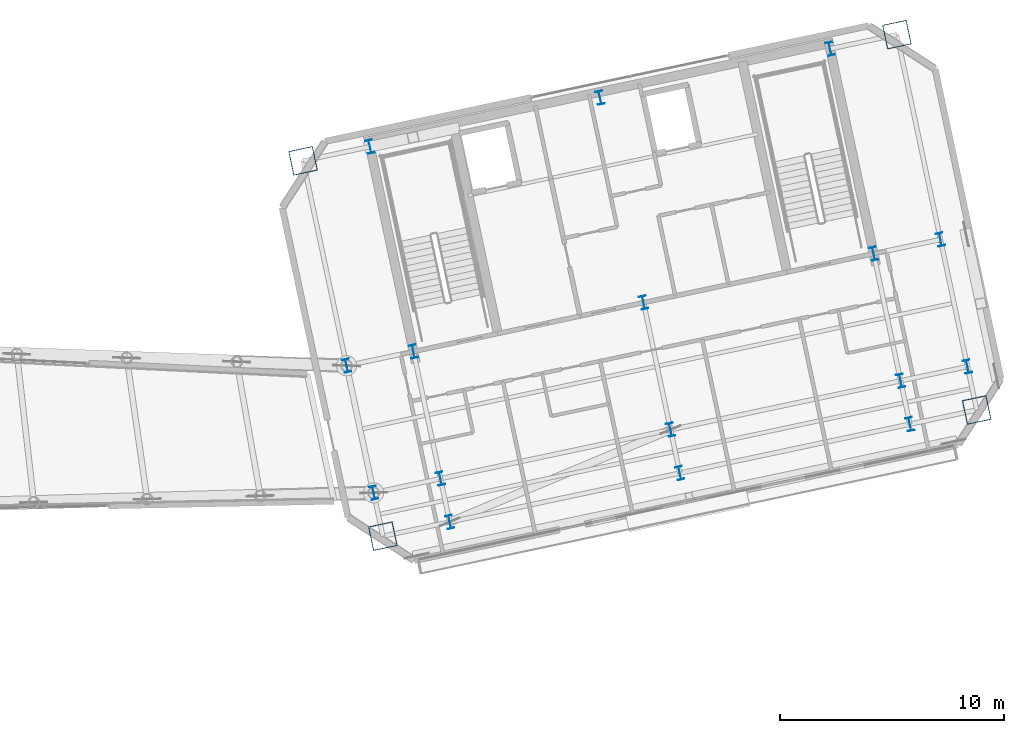
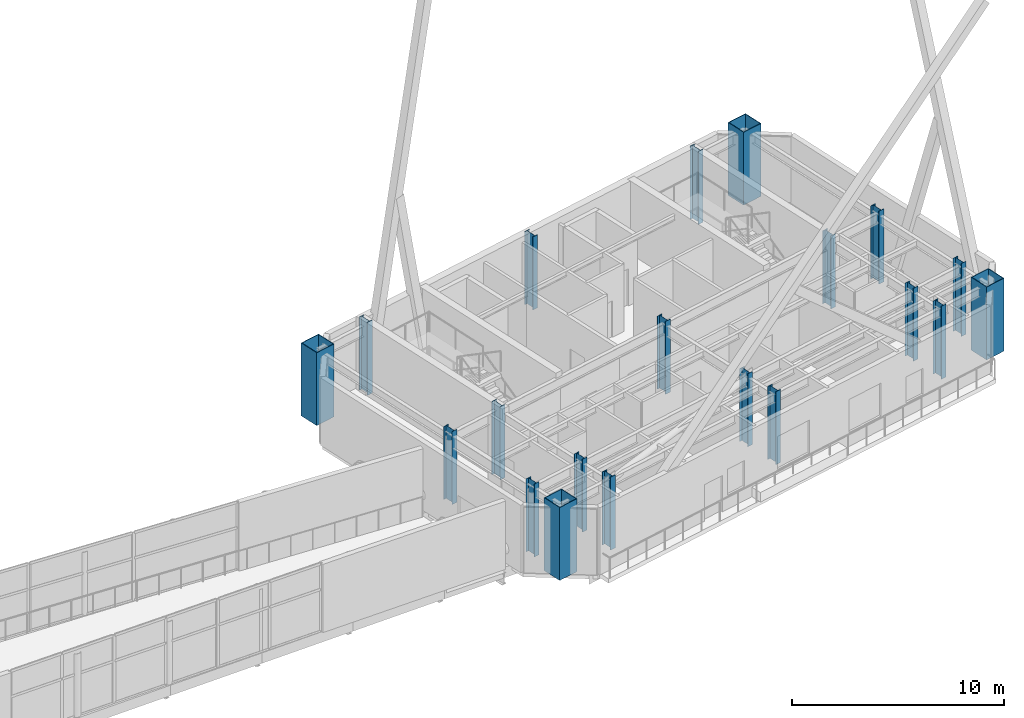
# One storey, part 2 of 23: 20 columns.
"""IFC4 building model written with IfcOpenShell, lengths in metres."""

from ifc_helpers import new_model, si_unit, direction, frame, origin, origin_2d, place, context, subcontext, project, spatial, hollow_rectangle, i_section, extrude, material, material_profile, profile_set, type_object, element, save


model = new_model("IFC4")

# Units and contexts
model_context = context("Model", 3, precision=1e-05, world=origin(), true_north=direction((0.0, 1.0)))
body_context = subcontext(model_context, "Body", "Model", "MODEL_VIEW")
ifc_project = project(units=[si_unit("LENGTHUNIT", "METRE"), si_unit("AREAUNIT", "SQUARE_METRE"), si_unit("VOLUMEUNIT", "CUBIC_METRE"), si_unit("PLANEANGLEUNIT", "RADIAN"), si_unit("MASSUNIT", "GRAM", prefix="KILO")], contexts=[model_context])

# Site, building, storey
site_placement = place(None, origin())
site = spatial("IfcSite", under=ifc_project, at=site_placement, CompositionType="ELEMENT")
building_placement = place(site_placement, origin())
building = spatial("IfcBuilding", under=site, at=building_placement, Name="Haevon Station Towers", CompositionType="ELEMENT")
storey_placement = place(building_placement, frame((0.0, 0.0, 197.10009765625)))
storey = spatial("IfcBuildingStorey", under=building, at=storey_placement, Name="L54", CompositionType="ELEMENT", Elevation=197.10009765625)

# Columns
ifc_material_1 = material(Name="Steel S460", Category="steel")
ifc_material_profile_1 = material_profile(ifc_material_1, hollow_rectangle(XDim=1.10009765625, YDim=1.10009765625, WallThickness=0.031982421875, at=origin_2d()), Name="BOX-1100x1100x32")
ifc_profile_set_1 = profile_set([ifc_material_profile_1], Name="Steel S460")
column_type_1 = type_object("IfcColumnType", Name="COL-MC5", PredefinedType="COLUMN", material=ifc_profile_set_1)
for number, where, z_axis, x_axis, name in (
    (1, (97.386474609375, 29.1982421875, 0.0), (0.0, 0.0, 1.0), (0.978147600734, 0.207911690818, 0.0), "COL-T2-L54-01-01"),
    (2, (93.824951171875, 45.953857421875, 0.0), (0.0, 0.0, 1.0), (0.978147600734, 0.207911690818, 0.0), "COL-T2-L54-01-04"),
    (3, (123.894287109375, 34.832763671875, 0.0), (0.0, 0.0, 1.0), (0.978147600734, 0.207911690818, 0.0), "COL-T2-L54-05-01"),
    (4, (120.332763671875, 51.58837890625, 0.0), (0.0, 0.0, 1.0), (0.978147600734, 0.207911690818, 0.0), "COL-T2-L54-05-04"),
):
    element("IfcColumn", number, at=place(storey_placement, frame(where, z_axis=z_axis, x_axis=x_axis)), inside=storey, type_object=column_type_1, Name=name, PredefinedType="COLUMN", context=body_context, shape_type="SweptSolid", body=[
        extrude(hollow_rectangle(XDim=1.10009765625, YDim=1.10009765625, WallThickness=0.031982421875, at=origin_2d()), origin(), (0.0, 0.0, 1.0), 4.199951171875),
    ])
ifc_material_2 = material(Name="Steel S355", Category="steel")
ifc_material_profile_2 = material_profile(ifc_material_2, i_section(OverallWidth=0.300048828125, OverallDepth=0.60009765625, WebThickness=0.013916015625, FlangeThickness=0.02490234375, at=origin_2d()), Name="H-600x300x14x25")
ifc_profile_set_2 = profile_set([ifc_material_profile_2], Name="Steel S355")
column_type_2 = type_object("IfcColumnType", Name="COL-TW4", PredefinedType="COLUMN", material=ifc_profile_set_2)
for number, where, z_axis, x_axis, name in (
    (5, (96.974853515625, 31.135009765625, 0.0), (0.0, 0.0, 1.0), (0.978147600734, 0.207911690818, 0.0), "COL-T2-L54-01-02"),
    (6, (95.76904296875, 36.808349609375, 0.0), (0.0, 0.0, 1.0), (0.978147600734, 0.207911690818, 0.0), "COL-T2-L54-01-03"),
    (7, (100.369873046875, 29.83251953125, 0.0), (0.0, 0.0, 1.0), (0.978147600734, 0.207911690818, 0.0), "COL-T2-L54-02-01"),
    (8, (99.958251953125, 31.76904296875, 0.0), (0.0, 0.0, 1.0), (0.978147600734, 0.207911690818, 0.0), "COL-T2-L54-02-02"),
    (9, (98.75244140625, 37.4423828125, 0.0), (0.0, 0.0, 1.0), (0.978147600734, 0.207911690818, 0.0), "COL-T2-L54-02-03"),
    (10, (96.808349609375, 46.588134765625, 0.0), (0.0, 0.0, 1.0), (0.978147600734, 0.207911690818, 0.0), "COL-T2-L54-02-04"),
    (11, (110.640380859375, 32.015380859375, 0.0), (0.0, 0.0, 1.0), (0.978147600734, 0.207911690818, 0.0), "COL-T2-L54-03-01"),
    (12, (110.228759765625, 33.9521484375, 0.0), (0.0, 0.0, 1.0), (0.978147600734, 0.207911690818, 0.0), "COL-T2-L54-03-02"),
    (13, (109.02294921875, 39.62548828125, 0.0), (0.0, 0.0, 1.0), (0.978147600734, 0.207911690818, 0.0), "COL-T2-L54-03-03"),
    (14, (107.078857421875, 48.771240234375, 0.0), (0.0, 0.0, 1.0), (0.978147600734, 0.207911690818, 0.0), "COL-T2-L54-03-04"),
    (15, (120.910888671875, 34.198486328125, 0.0), (0.0, 0.0, 1.0), (0.978147600734, 0.207911690818, 0.0), "COL-T2-L54-04-01"),
    (16, (120.499267578125, 36.13525390625, 0.0), (0.0, 0.0, 1.0), (0.978147600734, 0.207911690818, 0.0), "COL-T2-L54-04-02"),
    (17, (119.29345703125, 41.80859375, 0.0), (0.0, 0.0, 1.0), (0.978147600734, 0.207911690818, 0.0), "COL-T2-L54-04-03"),
    (18, (117.349365234375, 50.954345703125, 0.0), (0.0, 0.0, 1.0), (0.978147600734, 0.207911690818, 0.0), "COL-T2-L54-04-04"),
    (19, (123.482666015625, 36.76953125, 0.0), (0.0, 0.0, 1.0), (0.978147600734, 0.207911690818, 0.0), "COL-T2-L54-05-02"),
    (20, (122.27685546875, 42.442626953125, 0.0), (0.0, 0.0, 1.0), (0.978147600734, 0.207911690818, 0.0), "COL-T2-L54-05-03"),
):
    element("IfcColumn", number, at=place(storey_placement, frame(where, z_axis=z_axis, x_axis=x_axis)), inside=storey, type_object=column_type_2, Name=name, PredefinedType="COLUMN", context=body_context, shape_type="SweptSolid", body=[
        extrude(i_section(OverallWidth=0.300048828125, OverallDepth=0.60009765625, WebThickness=0.013916015625, FlangeThickness=0.02490234375, at=origin_2d()), origin(), (0.0, 0.0, 1.0), 4.199951171875),
    ])

save(model, "model.ifc")
